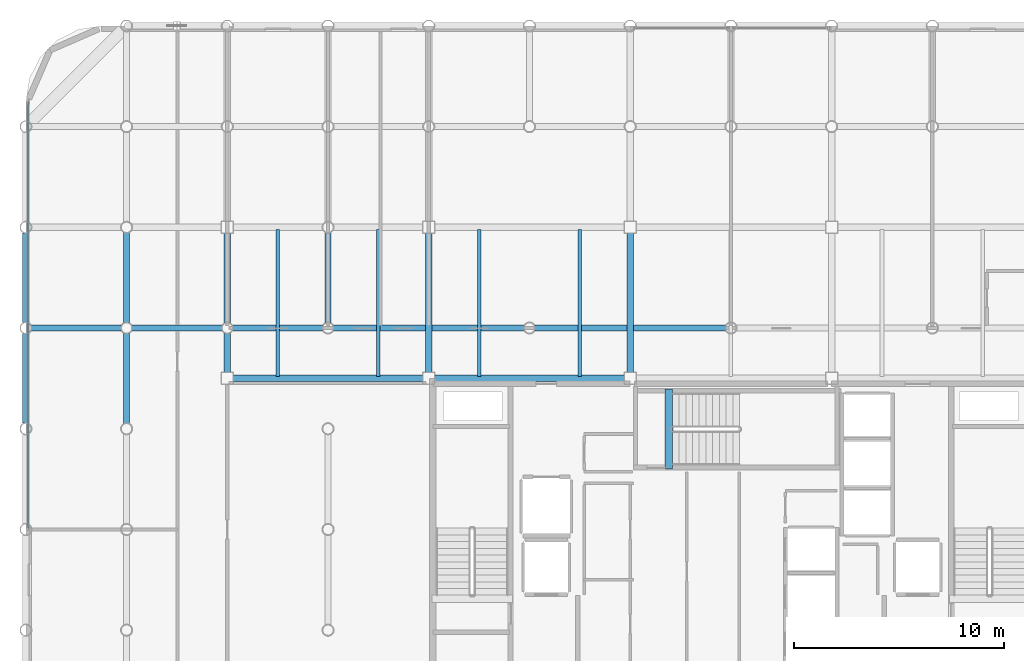
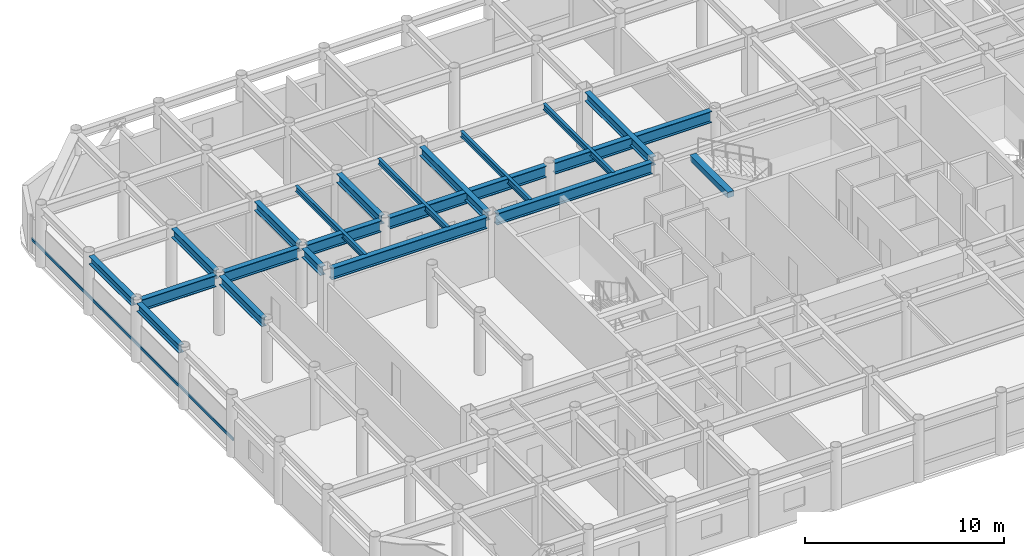
# One storey, part 7 of 22: 21 beams, 1 member, 1 element without a shape of its own.
"""IFC4 building model written with IfcOpenShell, lengths in metres."""

from ifc_helpers import new_model, si_unit, direction, frame, origin, origin_2d, place, context, subcontext, project, spatial, rectangle, hollow_rectangle, i_section, extrude, material, layer, layer_set, material_profile, profile_set, type_object, element, aggregate, save


model = new_model("IFC4")

# Units and contexts
model_context = context("Model", 3, precision=1e-05, world=origin(), true_north=direction((0.0, 1.0)))
body_context = subcontext(model_context, "Body", "Model", "MODEL_VIEW")
ifc_project = project(units=[si_unit("LENGTHUNIT", "METRE"), si_unit("AREAUNIT", "SQUARE_METRE"), si_unit("VOLUMEUNIT", "CUBIC_METRE"), si_unit("PLANEANGLEUNIT", "RADIAN"), si_unit("MASSUNIT", "GRAM", prefix="KILO")], contexts=[model_context])

# Site, building, storey
site_placement = place(None, origin())
site = spatial("IfcSite", under=ifc_project, at=site_placement, CompositionType="ELEMENT")
building_placement = place(site_placement, origin())
building = spatial("IfcBuilding", under=site, at=building_placement, Name="Kallvorn Hotel Tower", CompositionType="ELEMENT")
storey_placement = place(building_placement, frame((0.0, 0.0, 260.800048828125)))
storey = spatial("IfcBuildingStorey", under=building, at=storey_placement, Name="L65", CompositionType="ELEMENT", Elevation=260.800048828125)

# Beams
ifc_material_1 = material(Name="Structural steel S355JR", Category="steel")
ifc_material_profile_1 = material_profile(ifc_material_1, i_section(OverallWidth=0.300048828125, OverallDepth=0.5, WebThickness=0.014404296875, FlangeThickness=0.028076171875, at=origin_2d()), Name="HE 500 B")
ifc_profile_set_1 = profile_set([ifc_material_profile_1], Name="Structural steel S355JR")
beam_type_1 = type_object("IfcBeamType", Name="BM_HE500B", PredefinedType="SPANDREL", material=ifc_profile_set_1)
beam_1_placement = place(storey_placement, frame((-33.60009765625, 5.069580078125, 3.419921875), z_axis=(0.0, 1.0, 0.0), x_axis=(-1.0, 0.0, 0.0)))
element("IfcBeam", 1, at=beam_1_placement, inside=storey, type_object=beam_type_1, Name="L66 Perimeter Spandrel 178", PredefinedType="SPANDREL", context=body_context, shape_type="SweptSolid", body=[
    extrude(i_section(OverallWidth=0.300048828125, OverallDepth=0.5, WebThickness=0.014404296875, FlangeThickness=0.028076171875, at=origin_2d()), origin(), (0.0, 0.0, 1.0), 4.260986328125),
])
beam_2_placement = place(storey_placement, frame((-33.60009765625, 9.869384765625, 3.419921875), z_axis=(0.0, 1.0, 0.0), x_axis=(-1.0, 0.0, 0.0)))
element("IfcBeam", 2, at=beam_2_placement, inside=storey, type_object=beam_type_1, Name="L66 Perimeter Spandrel 179", PredefinedType="SPANDREL", context=body_context, shape_type="SweptSolid", body=[
    extrude(i_section(OverallWidth=0.300048828125, OverallDepth=0.5, WebThickness=0.014404296875, FlangeThickness=0.028076171875, at=origin_2d()), origin(), (0.0, 0.0, 1.0), 4.26123046875),
])
ifc_material_2 = material(Name="Structural steel S355JR", Category="steel")
ifc_material_profile_2 = material_profile(ifc_material_2, i_section(OverallWidth=0.300048828125, OverallDepth=0.550048828125, WebThickness=0.014892578125, FlangeThickness=0.029052734375, at=origin_2d()), Name="HE 550 B")
ifc_profile_set_2 = profile_set([ifc_material_profile_2], Name="Structural steel S355JR")
beam_type_2 = type_object("IfcBeamType", Name="BM_HE550B", PredefinedType="SPANDREL", material=ifc_profile_set_2)
for number, where, z_axis, x_axis, name in (
    (3, (-28.800048828125, 5.054443359375, 3.39501953125), (0.0, 1.0, 0.0), (-1.0, 0.0, 0.0), "L66 Primary Y-Girder 78"),
    (4, (-28.800048828125, 9.8544921875, 3.39501953125), (0.0, 1.0, 0.0), (-1.0, 0.0, 0.0), "L66 Primary Y-Girder 79"),
):
    element("IfcBeam", number, at=place(storey_placement, frame(where, z_axis=z_axis, x_axis=x_axis)), inside=storey, type_object=beam_type_2, Name=name, PredefinedType="SPANDREL", context=body_context, shape_type="SweptSolid", body=[
        extrude(i_section(OverallWidth=0.300048828125, OverallDepth=0.550048828125, WebThickness=0.014892578125, FlangeThickness=0.029052734375, at=origin_2d()), origin(), (0.0, 0.0, 1.0), 4.291015625),
    ])
beam_3_placement = place(storey_placement, frame((-24.0, 7.47509765625, 3.39501953125), z_axis=(0.0, 1.0, 0.0), x_axis=(-1.0, 0.0, 0.0)))
element("IfcBeam", 5, at=beam_3_placement, inside=storey, type_object=beam_type_2, Name="L66 Primary Y-Girder 85", PredefinedType="SPANDREL", context=body_context, shape_type="SweptSolid", body=[
    extrude(i_section(OverallWidth=0.300048828125, OverallDepth=0.550048828125, WebThickness=0.014892578125, FlangeThickness=0.029052734375, at=origin_2d()), origin(), (0.0, 0.0, 1.0), 1.870361328125),
])
beam_4_placement = place(storey_placement, frame((-24.0, 9.8544921875, 3.39501953125), z_axis=(0.0, 1.0, 0.0), x_axis=(-1.0, 0.0, 0.0)))
element("IfcBeam", 6, at=beam_4_placement, inside=storey, type_object=beam_type_2, Name="L66 Primary Y-Girder 86", PredefinedType="SPANDREL", context=body_context, shape_type="SweptSolid", body=[
    extrude(i_section(OverallWidth=0.300048828125, OverallDepth=0.550048828125, WebThickness=0.014892578125, FlangeThickness=0.029052734375, at=origin_2d()), origin(), (0.0, 0.0, 1.0), 4.2705078125),
])
beam_5_placement = place(storey_placement, frame((-19.199951171875, 9.8544921875, 3.39501953125), z_axis=(0.0, 1.0, 0.0), x_axis=(-1.0, 0.0, 0.0)))
element("IfcBeam", 7, at=beam_5_placement, inside=storey, type_object=beam_type_2, Name="L66 Primary Y-Girder 95", PredefinedType="SPANDREL", context=body_context, shape_type="SweptSolid", body=[
    extrude(i_section(OverallWidth=0.300048828125, OverallDepth=0.550048828125, WebThickness=0.014892578125, FlangeThickness=0.029052734375, at=origin_2d()), origin(), (0.0, 0.0, 1.0), 4.291015625),
])
for number, where, z_axis, x_axis, name in (
    (8, (-14.39990234375, 7.47509765625, 3.39501953125), (0.0, 1.0, 0.0), (-1.0, 0.0, 0.0), "L66 Primary Y-Girder 100"),
    (9, (-4.800048828125, 7.47509765625, 3.39501953125), (0.0, 1.0, 0.0), (-1.0, 0.0, 0.0), "L66 Primary Y-Girder 108"),
):
    element("IfcBeam", number, at=place(storey_placement, frame(where, z_axis=z_axis, x_axis=x_axis)), inside=storey, type_object=beam_type_2, Name=name, PredefinedType="SPANDREL", context=body_context, shape_type="SweptSolid", body=[
        extrude(i_section(OverallWidth=0.300048828125, OverallDepth=0.550048828125, WebThickness=0.014892578125, FlangeThickness=0.029052734375, at=origin_2d()), origin(), (0.0, 0.0, 1.0), 6.64990234375),
    ])
ifc_material_3 = material(Name="Structural steel S355JR", Category="steel")
ifc_material_profile_3 = material_profile(ifc_material_3, i_section(OverallWidth=0.300048828125, OverallDepth=0.699951171875, WebThickness=0.01708984375, FlangeThickness=0.031982421875, at=origin_2d()), Name="HE 700 B")
ifc_profile_set_3 = profile_set([ifc_material_profile_3], Name="Structural steel S355JR")
beam_type_3 = type_object("IfcBeamType", Name="BM_HE700B", PredefinedType="BEAM", material=ifc_profile_set_3)
for number, where, z_axis, x_axis, name in (
    (10, (-23.72509765625, 7.199951171875, 3.320068359375), (1.0, 0.0, 0.0), (0.0, 1.0, 0.0), "L66 Primary X-Girder 36"),
    (11, (-14.125, 7.199951171875, 3.320068359375), (1.0, 0.0, 0.0), (0.0, 1.0, 0.0), "L66 Primary X-Girder 37"),
):
    element("IfcBeam", number, at=place(storey_placement, frame(where, z_axis=z_axis, x_axis=x_axis)), inside=storey, type_object=beam_type_3, Name=name, PredefinedType="BEAM", context=body_context, shape_type="SweptSolid", body=[
        extrude(i_section(OverallWidth=0.300048828125, OverallDepth=0.699951171875, WebThickness=0.01708984375, FlangeThickness=0.031982421875, at=origin_2d()), origin(), (0.0, 0.0, 1.0), 9.050048828125),
    ])
for number, where, z_axis, x_axis, name in (
    (12, (-33.345458984375, 9.60009765625, 3.320068359375), (1.0, 0.0, 0.0), (0.0, 1.0, 0.0), "L66 Primary X-Girder 41"),
    (13, (-28.54541015625, 9.60009765625, 3.320068359375), (1.0, 0.0, 0.0), (0.0, 1.0, 0.0), "L66 Primary X-Girder 42"),
    (14, (-23.74560546875, 9.60009765625, 3.320068359375), (1.0, 0.0, 0.0), (0.0, 1.0, 0.0), "L66 Primary X-Girder 43"),
):
    element("IfcBeam", number, at=place(storey_placement, frame(where, z_axis=z_axis, x_axis=x_axis)), inside=storey, type_object=beam_type_3, Name=name, PredefinedType="BEAM", context=body_context, shape_type="SweptSolid", body=[
        extrude(i_section(OverallWidth=0.300048828125, OverallDepth=0.699951171875, WebThickness=0.01708984375, FlangeThickness=0.031982421875, at=origin_2d()), origin(), (0.0, 0.0, 1.0), 4.291015625),
    ])
for number, where, z_axis, x_axis, name in (
    (15, (-18.945556640625, 9.60009765625, 3.320068359375), (1.0, 0.0, 0.0), (0.0, 1.0, 0.0), "L66 Primary X-Girder 44"),
    (16, (-9.345458984375, 9.60009765625, 3.320068359375), (1.0, 0.0, 0.0), (0.0, 1.0, 0.0), "L66 Primary X-Girder 45"),
):
    element("IfcBeam", number, at=place(storey_placement, frame(where, z_axis=z_axis, x_axis=x_axis)), inside=storey, type_object=beam_type_3, Name=name, PredefinedType="BEAM", context=body_context, shape_type="SweptSolid", body=[
        extrude(i_section(OverallWidth=0.300048828125, OverallDepth=0.699951171875, WebThickness=0.01708984375, FlangeThickness=0.031982421875, at=origin_2d()), origin(), (0.0, 0.0, 1.0), 9.091064453125),
    ])
ifc_material_4 = material(Name="Structural steel S355JR", Category="steel")
ifc_material_profile_4 = material_profile(ifc_material_4, i_section(OverallWidth=0.169921875, OverallDepth=0.360107421875, WebThickness=0.008056640625, FlangeThickness=0.0126953125, at=origin_2d()), Name="IPE 360")
ifc_profile_set_4 = profile_set([ifc_material_profile_4], Name="Structural steel S355JR")
beam_type_4 = type_object("IfcBeamType", Name="BM_IPE360", PredefinedType="JOIST", material=ifc_profile_set_4)
for number, where, z_axis, x_axis, name in (
    (17, (-21.60009765625, 7.300048828125, 3.489990234375), (0.0, 1.0, 0.0), (-1.0, 0.0, 0.0), "L66 Secondary Composite Joist 193"),
    (18, (-16.800048828125, 7.300048828125, 3.489990234375), (0.0, 1.0, 0.0), (-1.0, 0.0, 0.0), "L66 Secondary Composite Joist 195"),
    (19, (-12.0, 7.300048828125, 3.489990234375), (0.0, 1.0, 0.0), (-1.0, 0.0, 0.0), "L66 Secondary Composite Joist 197"),
    (20, (-7.199951171875, 7.300048828125, 3.489990234375), (0.0, 1.0, 0.0), (-1.0, 0.0, 0.0), "L66 Secondary Composite Joist 199"),
):
    element("IfcBeam", number, at=place(storey_placement, frame(where, z_axis=z_axis, x_axis=x_axis)), inside=storey, type_object=beam_type_4, Name=name, PredefinedType="JOIST", context=body_context, shape_type="SweptSolid", body=[
        extrude(i_section(OverallWidth=0.169921875, OverallDepth=0.360107421875, WebThickness=0.008056640625, FlangeThickness=0.0126953125, at=origin_2d()), origin(), (0.0, 0.0, 1.0), 7.0),
    ])
ifc_material_5 = material(Name="Concrete C50/60", Category="concrete")
ifc_material_profile_5 = material_profile(ifc_material_5, rectangle(XDim=0.360107421875, YDim=0.340087890625, at=origin_2d()), Name="RC 360x340")
ifc_profile_set_5 = profile_set([ifc_material_profile_5], Name="Concrete C50/60")
beam_type_5 = type_object("IfcBeamType", Name="BM_RC_400x360", PredefinedType="BEAM", material=ifc_profile_set_5)
beam_6_placement = place(storey_placement, frame((-2.9599609375, 2.8701171875, 3.5), z_axis=(0.0, 1.0, 0.0), x_axis=(-1.0, 0.0, 0.0)))
element("IfcBeam", 21, at=beam_6_placement, inside=storey, type_object=beam_type_5, Name="L66 Stair ST3 Arrival Trimmer Beam", PredefinedType="BEAM", context=body_context, shape_type="SweptSolid", body=[
    extrude(rectangle(XDim=0.360107421875, YDim=0.340087890625, at=origin_2d()), origin(), (0.0, 0.0, 1.0), 3.81982421875),
])

# Curtain wall, member
ifc_material_6 = material(Name="Thermally broken black-anodised aluminium AA 6063-T6", Category="aluminium")
ifc_layer = layer(ifc_material_6, 0.22998046875)
ifc_layer_set = layer_set([ifc_layer], Name="CW_SYS_5_HOTEL_HIGH")
curtain_wall_type = type_object("IfcCurtainWallType", Name="CW_SYS_5_HOTEL_HIGH", PredefinedType="USERDEFINED", material=ifc_layer_set)
curtain_wall_placement = place(storey_placement, origin())
curtain_wall = element("IfcCurtainWall", 22, at=curtain_wall_placement, inside=storey, type_object=curtain_wall_type, Name="L65 Dark-Glass Curtain Wall CW-L65-WN", ObjectType="UNITISED CURTAIN WALL", PredefinedType="USERDEFINED")
ifc_material_7 = material(Name="Thermally broken black-anodised aluminium AA 6063-T6", Category="aluminium")
ifc_material_profile_6 = material_profile(ifc_material_7, hollow_rectangle(XDim=0.070068359375, YDim=0.179931640625, WallThickness=0.00390625, at=origin_2d()), Name="TRN 180x70")
ifc_profile_set_6 = profile_set([ifc_material_profile_6], Name="Thermally broken black-anodised aluminium AA 6063-T6")
member_type = type_object("IfcMemberType", Name="CW_TRANSOM_180x70", PredefinedType="USERDEFINED", material=ifc_profile_set_6)
member_placement = place(storey_placement, frame((-33.47998046875, 0.06005859375, 0.849853515625), z_axis=(0.0, 1.0, 0.0), x_axis=(-1.0, 0.0, 0.0)))
member = element("IfcMember", 23, at=member_placement, type_object=member_type, Name="CW-L65-WN Transom 00M", ObjectType="TRANSOM", PredefinedType="USERDEFINED", context=body_context, shape_type="SweptSolid", body=[
    extrude(hollow_rectangle(XDim=0.070068359375, YDim=0.179931640625, WallThickness=0.00390625, at=origin_2d()), origin(), (0.0, 0.0, 1.0), 20.300048828125),
])
aggregate(curtain_wall, [member])

save(model, "model.ifc")
